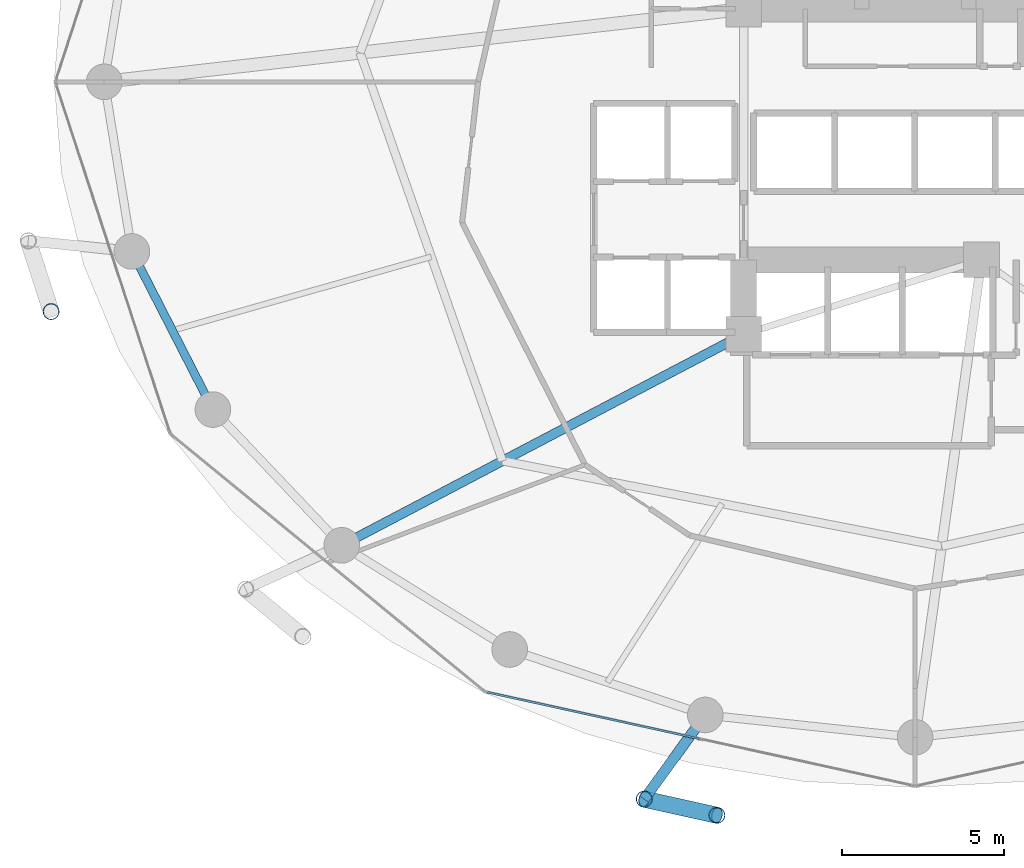
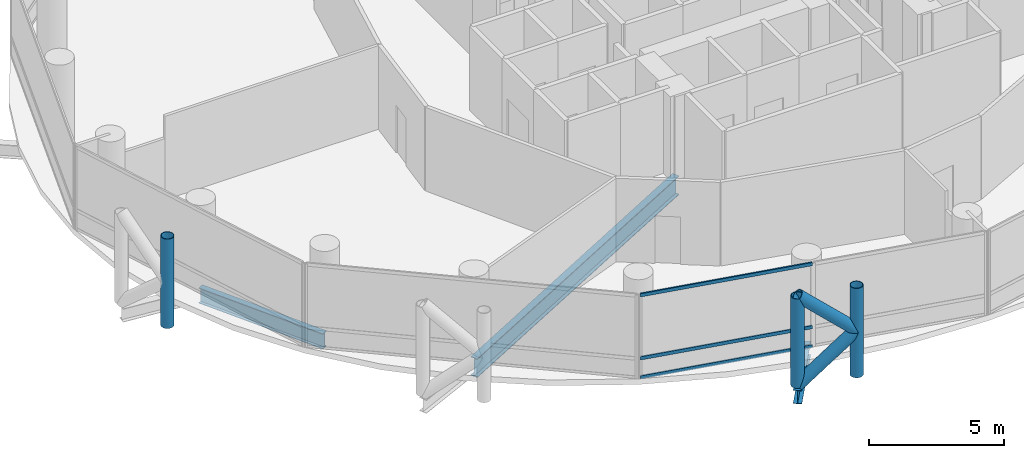
# One storey, part 3 of 25: 8 members, 3 beams, 1 element without a shape of its own.
"""IFC4 building model written with IfcOpenShell, lengths in metres."""

from ifc_helpers import new_model, si_unit, direction, frame, origin, origin_2d, place, context, subcontext, project, spatial, hollow_rectangle, hollow_circle, i_section, extrude, material, layer, layer_set, material_profile, profile_set, type_object, element, aggregate, save


model = new_model("IFC4")

# Units and contexts
model_context = context("Model", 3, precision=1e-05, world=origin(), true_north=direction((0.0, 1.0)))
body_context = subcontext(model_context, "Body", "Model", "MODEL_VIEW")
ifc_project = project(units=[si_unit("LENGTHUNIT", "METRE"), si_unit("AREAUNIT", "SQUARE_METRE"), si_unit("VOLUMEUNIT", "CUBIC_METRE"), si_unit("PLANEANGLEUNIT", "RADIAN"), si_unit("MASSUNIT", "GRAM", prefix="KILO")], contexts=[model_context])

# Site, building, storey
site_placement = place(None, origin())
site = spatial("IfcSite", under=ifc_project, at=site_placement, CompositionType="ELEMENT")
building_placement = place(site_placement, origin())
building = spatial("IfcBuilding", under=site, at=building_placement, Name="Nuhasar Tower", CompositionType="ELEMENT")
storey_placement = place(building_placement, frame((0.0, 0.0, 49.35009765625)))
storey = spatial("IfcBuildingStorey", under=building, at=storey_placement, Name="L11", CompositionType="ELEMENT", Elevation=49.35009765625)

# Beams
ifc_material_1 = material(Name="Steel S355", Category="steel")
ifc_material_profile_1 = material_profile(ifc_material_1, i_section(OverallWidth=0.2919921875, OverallDepth=0.85888671875, WebThickness=0.01708984375, FlangeThickness=0.031005859375, at=origin_2d()), Name="W33X169")
ifc_profile_set_1 = profile_set([ifc_material_profile_1], Name="Steel S355")
beam_type_1 = type_object("IfcBeamType", Name="BM-POD-W33X169", PredefinedType="BEAM", material=ifc_profile_set_1)
beam_1_placement = place(storey_placement, frame((33.699951171875, 19.0, -0.689208984375), z_axis=(-0.885330348705, -0.464962550816, 0.0), x_axis=(0.464962550816, -0.885330348705, 0.0)))
element("IfcBeam", 1, at=beam_1_placement, inside=storey, type_object=beam_type_1, Name="L11 Radial Floor Girder 01", PredefinedType="BEAM", context=body_context, shape_type="SweptSolid", body=[
    extrude(i_section(OverallWidth=0.2919921875, OverallDepth=0.85888671875, WebThickness=0.01708984375, FlangeThickness=0.031005859375, at=origin_2d()), origin(), (0.0, 0.0, 1.0), 14.0205078125),
])
ifc_material_profile_2 = material_profile(ifc_material_1, i_section(OverallWidth=0.256103515625, OverallDepth=0.693115234375, WebThickness=0.014404296875, FlangeThickness=0.023681640625, at=origin_2d()), Name="W27X114")
ifc_profile_set_2 = profile_set([ifc_material_profile_2], Name="Steel S355")
beam_type_2 = type_object("IfcBeamType", Name="BM-RING-W27X114", PredefinedType="SPANDREL", material=ifc_profile_set_2)
beam_2_placement = place(storey_placement, frame((14.803955078125, 21.55908203125, -0.606201171875), z_axis=(0.455930023905, -0.890015625314, 0.0), x_axis=(0.890015625314, 0.455930023905, 0.0)))
element("IfcBeam", 2, at=beam_2_placement, inside=storey, type_object=beam_type_2, Name="L11 Perimeter Ring Spandrel 14", PredefinedType="SPANDREL", context=body_context, shape_type="SweptSolid", body=[
    extrude(i_section(OverallWidth=0.256103515625, OverallDepth=0.693115234375, WebThickness=0.014404296875, FlangeThickness=0.023681640625, at=origin_2d()), origin(), (0.0, 0.0, 1.0), 5.487548828125),
])
ifc_material_profile_3 = material_profile(ifc_material_1, i_section(OverallWidth=0.323974609375, OverallDepth=0.611083984375, WebThickness=0.0126953125, FlangeThickness=0.01904296875, at=origin_2d()), Name="W24X104")
ifc_profile_set_3 = profile_set([ifc_material_profile_3], Name="Steel S355")
beam_type_3 = type_object("IfcBeamType", Name="BM-TIE-W24X104", PredefinedType="BEAM", material=ifc_profile_set_3)
beam_3_placement = place(storey_placement, frame((32.51708984375, 7.239990234375, -0.565185546875), z_axis=(-0.587403316448, -0.809294349311, 0.0), x_axis=(0.809294349311, -0.587403316448, 0.0)))
element("IfcBeam", 3, at=beam_3_placement, inside=storey, type_object=beam_type_3, Name="L11 Exoskeleton Node Tie Beam 09", PredefinedType="BEAM", context=body_context, shape_type="SweptSolid", body=[
    extrude(i_section(OverallWidth=0.323974609375, OverallDepth=0.611083984375, WebThickness=0.0126953125, FlangeThickness=0.01904296875, at=origin_2d()), origin(), (0.0, 0.0, 1.0), 3.212890625),
])

# Curtain wall, members
ifc_material_2 = material(Name="Aluminium 6063-T6", Category="aluminium")
ifc_layer = layer(ifc_material_2, 0.199951171875)
ifc_layer_set = layer_set([ifc_layer], Name="Aluminium 6063-T6")
curtain_wall_type = type_object("IfcCurtainWallType", Name="CW-Z1-OFF", PredefinedType="NOTDEFINED", material=ifc_layer_set)
curtain_wall_placement = place(storey_placement, origin())
curtain_wall = element("IfcCurtainWall", 4, at=curtain_wall_placement, inside=storey, type_object=curtain_wall_type, Name="L11 Unitised Curtain Wall 09", PredefinedType="NOTDEFINED")
ifc_material_profile_4 = material_profile(ifc_material_2, hollow_rectangle(XDim=0.06494140625, YDim=0.14990234375, WallThickness=0.00439453125, at=origin_2d()), Name="CWT-2")
ifc_profile_set_4 = profile_set([ifc_material_profile_4], Name="Aluminium 6063-T6")
member_type_1 = type_object("IfcMemberType", Name="CW-TRN-S2", PredefinedType="USERDEFINED", material=ifc_profile_set_4)
member_1_placement = place(storey_placement, frame((25.783447265625, 7.941162109375, 0.032470703125), z_axis=(0.976741923778, -0.214418316228, 0.0), x_axis=(0.214418316228, 0.976741923778, 0.0)))
member_1 = element("IfcMember", 5, at=member_1_placement, type_object=member_type_1, Name="CW-Z1 transom 1.1", ObjectType="TRANSOM", PredefinedType="USERDEFINED", context=body_context, shape_type="SweptSolid", body=[
    extrude(hollow_rectangle(XDim=0.06494140625, YDim=0.14990234375, WallThickness=0.00439453125, at=origin_2d()), origin(), (0.0, 0.0, 1.0), 6.70068359375),
])
member_2_placement = place(storey_placement, frame((25.783447265625, 7.941162109375, 0.89990234375), z_axis=(0.976741923778, -0.214418316228, 0.0), x_axis=(0.214418316228, 0.976741923778, 0.0)))
member_2 = element("IfcMember", 6, at=member_2_placement, type_object=member_type_1, Name="CW-Z1 transom 1.2", ObjectType="TRANSOM", PredefinedType="USERDEFINED", context=body_context, shape_type="SweptSolid", body=[
    extrude(hollow_rectangle(XDim=0.06494140625, YDim=0.14990234375, WallThickness=0.00439453125, at=origin_2d()), origin(), (0.0, 0.0, 1.0), 6.70068359375),
])
member_3_placement = place(storey_placement, frame((25.783447265625, 7.941162109375, 3.75732421875), z_axis=(0.976741923778, -0.214418316228, 0.0), x_axis=(0.214418316228, 0.976741923778, 0.0)))
member_3 = element("IfcMember", 7, at=member_3_placement, type_object=member_type_1, Name="CW-Z1 transom 1.3", ObjectType="TRANSOM", PredefinedType="USERDEFINED", context=body_context, shape_type="SweptSolid", body=[
    extrude(hollow_rectangle(XDim=0.06494140625, YDim=0.14990234375, WallThickness=0.00439453125, at=origin_2d()), origin(), (0.0, 0.0, 1.0), 6.70068359375),
])
aggregate(curtain_wall, [member_1, member_2, member_3])

# Members
ifc_material_3 = material(Name="Steel S460", Category="steel")
ifc_material_profile_5 = material_profile(ifc_material_3, hollow_circle(Radius=0.25390625, WallThickness=0.025390625, at=origin_2d()), Name="HSS508X25.4")
ifc_profile_set_5 = profile_set([ifc_material_profile_5], Name="Steel S460")
member_type_2 = type_object("IfcMemberType", Name="EXO-BRONZE-508", PredefinedType="BRACE", material=ifc_profile_set_5)
for number, where, z_axis, x_axis, name in (
    (8, (12.30810546875, 19.700927734375, 0.0), (0.0, 0.0, 1.0), (1.0, 0.0, 0.0), "L11 Exoskeleton Chord Column EC-07B"),
    (9, (30.6298828125, 4.639892578125, 0.0), (0.0, 0.0, 1.0), (1.0, 0.0, 0.0), "L11 Exoskeleton Chord Column EC-09A"),
    (10, (32.8759765625, 4.14111328125, 0.0), (0.0, 0.0, 1.0), (1.0, 0.0, 0.0), "L11 Exoskeleton Chord Column EC-09B"),
):
    element("IfcMember", number, at=place(storey_placement, frame(where, z_axis=z_axis, x_axis=x_axis)), inside=storey, type_object=member_type_2, Name=name, PredefinedType="BRACE", context=body_context, shape_type="SweptSolid", body=[
        extrude(hollow_circle(Radius=0.25390625, WallThickness=0.025390625, at=origin_2d()), origin(), (0.0, 0.0, 1.0), 4.0498046875),
    ])
for number, where, z_axis, x_axis, name in (
    (11, (30.6298828125, 4.639892578125, 0.0), (0.732830973624, -0.162736269469, 0.66066305383), (0.216784396973, 0.976219506683, 0.0), "L11 Bronze Diagrid Brace W1-09"),
    (12, (32.8759765625, 4.14111328125, 2.02490234375), (-0.732830973624, 0.162736269469, 0.66066305383), (-0.216784396973, -0.976219506683, 0.0), "L11 Bronze Diagrid Brace W2-09"),
):
    element("IfcMember", number, at=place(storey_placement, frame(where, z_axis=z_axis, x_axis=x_axis)), inside=storey, type_object=member_type_2, Name=name, PredefinedType="BRACE", context=body_context, shape_type="SweptSolid", body=[
        extrude(hollow_circle(Radius=0.25390625, WallThickness=0.025390625, at=origin_2d()), origin(), (0.0, 0.0, 1.0), 3.06494140625),
    ])

save(model, "model.ifc")
